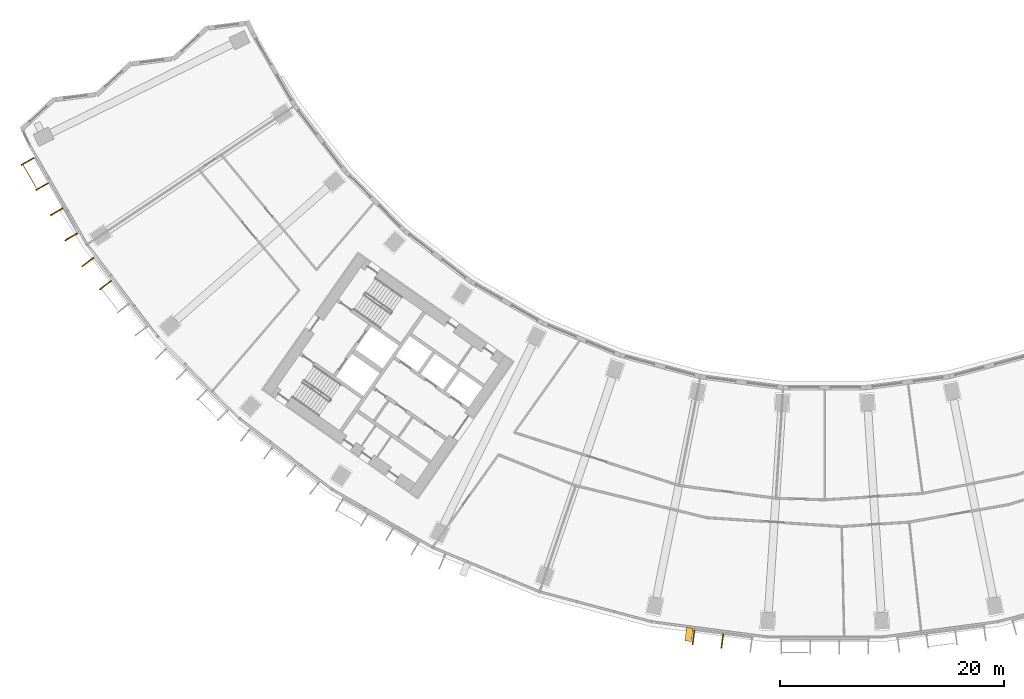
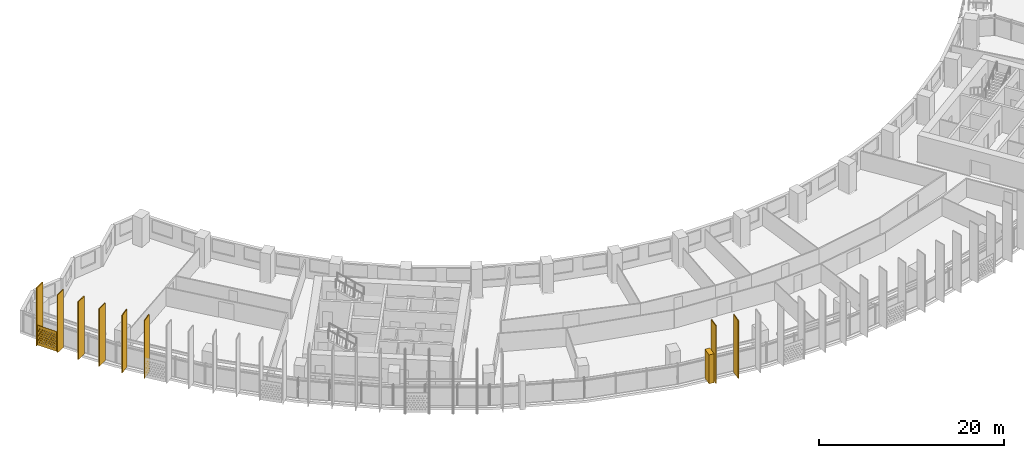
# One storey, part 26 of 33: 10 shading devices.
"""IFC4 building model written with IfcOpenShell, lengths in metres."""

from ifc_helpers import new_model, si_unit, direction, frame, origin, origin_2d, place, context, subcontext, project, spatial, polyline, rectangle, outline, extrude, material, material_profile, profile_set, type_object, element, save


model = new_model("IFC4")

# Units and contexts
model_context = context("Model", 3, precision=1e-05, world=origin(), true_north=direction((0.0, 1.0)))
body_context = subcontext(model_context, "Body", "Model", "MODEL_VIEW")
ifc_project = project(units=[si_unit("LENGTHUNIT", "METRE"), si_unit("AREAUNIT", "SQUARE_METRE"), si_unit("VOLUMEUNIT", "CUBIC_METRE"), si_unit("PLANEANGLEUNIT", "RADIAN"), si_unit("MASSUNIT", "GRAM", prefix="KILO")], contexts=[model_context])

# Site, building, storey
site_placement = place(None, origin())
site = spatial("IfcSite", under=ifc_project, at=site_placement, CompositionType="ELEMENT")
building_placement = place(site_placement, origin())
building = spatial("IfcBuilding", under=site, at=building_placement, Name="Qamariyya Broadcast Tower", CompositionType="ELEMENT")
storey_placement = place(building_placement, frame((0.0, 0.0, 94.89990234375)))
storey = spatial("IfcBuildingStorey", under=building, at=storey_placement, Name="L20", CompositionType="ELEMENT", Elevation=94.89990234375)

# Shading devices
ifc_material_1 = material(Name="Steel S355 powder coated deep red", Category="steel")
shading_device_type_1 = type_object("IfcShadingDeviceType", Name="Deep red frame, powder coated steel box section", PredefinedType="USERDEFINED", material=ifc_material_1)
shading_device_1_placement = place(storey_placement, origin())
element("IfcShadingDevice", 1, at=shading_device_1_placement, inside=storey, type_object=shading_device_type_1, Name="e-frm-B2-F1-postb-L20", ObjectType="FRAME", PredefinedType="USERDEFINED", context=body_context, shape_type="SweptSolid", body=[
    extrude(outline(polyline([(-12.340087890625, -78.1884765625), (-12.49658203125, -79.378173828125), (-11.90185546875, -79.45654296875), (-11.7451171875, -78.266845703125), (-12.340087890625, -78.1884765625)])), origin(), (0.0, 0.0, 1.0), 3.800048828125),
])
ifc_material_2 = material(Name="Perforated glazed terracotta", Category="masonry")
ifc_material_profile_1 = material_profile(ifc_material_2, outline(polyline([(-1.199951171875, -1.300048828125), (1.199951171875, -1.300048828125), (1.199951171875, 1.300048828125), (-1.199951171875, 1.300048828125), (-1.199951171875, -1.300048828125)]), holes=[polyline([(-0.81494140625, -0.86669921875), (-0.89990234375, -0.78173828125), (-0.985107421875, -0.86669921875), (-0.89990234375, -0.95166015625), (-0.81494140625, -0.86669921875)]), polyline([(-0.514892578125, -0.86669921875), (-0.60009765625, -0.78173828125), (-0.68505859375, -0.86669921875), (-0.60009765625, -0.95166015625), (-0.514892578125, -0.86669921875)]), polyline([(-0.215087890625, -0.86669921875), (-0.300048828125, -0.78173828125), (-0.385009765625, -0.86669921875), (-0.300048828125, -0.95166015625), (-0.215087890625, -0.86669921875)]), polyline([(0.0849609375, -0.86669921875), (0.0, -0.78173828125), (-0.0849609375, -0.86669921875), (0.0, -0.95166015625), (0.0849609375, -0.86669921875)]), polyline([(0.385009765625, -0.86669921875), (0.300048828125, -0.78173828125), (0.215087890625, -0.86669921875), (0.300048828125, -0.95166015625), (0.385009765625, -0.86669921875)]), polyline([(0.68505859375, -0.86669921875), (0.60009765625, -0.78173828125), (0.514892578125, -0.86669921875), (0.60009765625, -0.95166015625), (0.68505859375, -0.86669921875)]), polyline([(0.985107421875, -0.86669921875), (0.89990234375, -0.78173828125), (0.81494140625, -0.86669921875), (0.89990234375, -0.95166015625), (0.985107421875, -0.86669921875)]), polyline([(-0.965087890625, -0.577880859375), (-1.050048828125, -0.49267578125), (-1.135009765625, -0.577880859375), (-1.050048828125, -0.662841796875), (-0.965087890625, -0.577880859375)]), polyline([(-0.6650390625, -0.577880859375), (-0.75, -0.49267578125), (-0.8349609375, -0.577880859375), (-0.75, -0.662841796875), (-0.6650390625, -0.577880859375)]), polyline([(-0.364990234375, -0.577880859375), (-0.449951171875, -0.49267578125), (-0.534912109375, -0.577880859375), (-0.449951171875, -0.662841796875), (-0.364990234375, -0.577880859375)]), polyline([(-0.06494140625, -0.577880859375), (-0.14990234375, -0.49267578125), (-0.235107421875, -0.577880859375), (-0.14990234375, -0.662841796875), (-0.06494140625, -0.577880859375)]), polyline([(0.235107421875, -0.577880859375), (0.14990234375, -0.49267578125), (0.06494140625, -0.577880859375), (0.14990234375, -0.662841796875), (0.235107421875, -0.577880859375)]), polyline([(0.534912109375, -0.577880859375), (0.449951171875, -0.49267578125), (0.364990234375, -0.577880859375), (0.449951171875, -0.662841796875), (0.534912109375, -0.577880859375)]), polyline([(0.8349609375, -0.577880859375), (0.75, -0.49267578125), (0.6650390625, -0.577880859375), (0.75, -0.662841796875), (0.8349609375, -0.577880859375)]), polyline([(1.135009765625, -0.577880859375), (1.050048828125, -0.49267578125), (0.965087890625, -0.577880859375), (1.050048828125, -0.662841796875), (1.135009765625, -0.577880859375)]), polyline([(-0.81494140625, -0.288818359375), (-0.89990234375, -0.203857421875), (-0.985107421875, -0.288818359375), (-0.89990234375, -0.373779296875), (-0.81494140625, -0.288818359375)]), polyline([(-0.514892578125, -0.288818359375), (-0.60009765625, -0.203857421875), (-0.68505859375, -0.288818359375), (-0.60009765625, -0.373779296875), (-0.514892578125, -0.288818359375)]), polyline([(-0.215087890625, -0.288818359375), (-0.300048828125, -0.203857421875), (-0.385009765625, -0.288818359375), (-0.300048828125, -0.373779296875), (-0.215087890625, -0.288818359375)]), polyline([(0.0849609375, -0.288818359375), (0.0, -0.203857421875), (-0.0849609375, -0.288818359375), (0.0, -0.373779296875), (0.0849609375, -0.288818359375)]), polyline([(0.385009765625, -0.288818359375), (0.300048828125, -0.203857421875), (0.215087890625, -0.288818359375), (0.300048828125, -0.373779296875), (0.385009765625, -0.288818359375)]), polyline([(0.68505859375, -0.288818359375), (0.60009765625, -0.203857421875), (0.514892578125, -0.288818359375), (0.60009765625, -0.373779296875), (0.68505859375, -0.288818359375)]), polyline([(0.985107421875, -0.288818359375), (0.89990234375, -0.203857421875), (0.81494140625, -0.288818359375), (0.89990234375, -0.373779296875), (0.985107421875, -0.288818359375)]), polyline([(-0.965087890625, 0.0), (-1.050048828125, 0.0849609375), (-1.135009765625, 0.0), (-1.050048828125, -0.0849609375), (-0.965087890625, 0.0)]), polyline([(-0.6650390625, 0.0), (-0.75, 0.0849609375), (-0.8349609375, 0.0), (-0.75, -0.0849609375), (-0.6650390625, 0.0)]), polyline([(-0.364990234375, 0.0), (-0.449951171875, 0.0849609375), (-0.534912109375, 0.0), (-0.449951171875, -0.0849609375), (-0.364990234375, 0.0)]), polyline([(-0.06494140625, 0.0), (-0.14990234375, 0.0849609375), (-0.235107421875, 0.0), (-0.14990234375, -0.0849609375), (-0.06494140625, 0.0)]), polyline([(0.235107421875, 0.0), (0.14990234375, 0.0849609375), (0.06494140625, 0.0), (0.14990234375, -0.0849609375), (0.235107421875, 0.0)]), polyline([(0.534912109375, 0.0), (0.449951171875, 0.0849609375), (0.364990234375, 0.0), (0.449951171875, -0.0849609375), (0.534912109375, 0.0)]), polyline([(0.8349609375, 0.0), (0.75, 0.0849609375), (0.6650390625, 0.0), (0.75, -0.0849609375), (0.8349609375, 0.0)]), polyline([(1.135009765625, 0.0), (1.050048828125, 0.0849609375), (0.965087890625, 0.0), (1.050048828125, -0.0849609375), (1.135009765625, 0.0)]), polyline([(-0.81494140625, 0.288818359375), (-0.89990234375, 0.373779296875), (-0.985107421875, 0.288818359375), (-0.89990234375, 0.203857421875), (-0.81494140625, 0.288818359375)]), polyline([(-0.514892578125, 0.288818359375), (-0.60009765625, 0.373779296875), (-0.68505859375, 0.288818359375), (-0.60009765625, 0.203857421875), (-0.514892578125, 0.288818359375)]), polyline([(-0.215087890625, 0.288818359375), (-0.300048828125, 0.373779296875), (-0.385009765625, 0.288818359375), (-0.300048828125, 0.203857421875), (-0.215087890625, 0.288818359375)]), polyline([(0.0849609375, 0.288818359375), (0.0, 0.373779296875), (-0.0849609375, 0.288818359375), (0.0, 0.203857421875), (0.0849609375, 0.288818359375)]), polyline([(0.385009765625, 0.288818359375), (0.300048828125, 0.373779296875), (0.215087890625, 0.288818359375), (0.300048828125, 0.203857421875), (0.385009765625, 0.288818359375)]), polyline([(0.68505859375, 0.288818359375), (0.60009765625, 0.373779296875), (0.514892578125, 0.288818359375), (0.60009765625, 0.203857421875), (0.68505859375, 0.288818359375)]), polyline([(0.985107421875, 0.288818359375), (0.89990234375, 0.373779296875), (0.81494140625, 0.288818359375), (0.89990234375, 0.203857421875), (0.985107421875, 0.288818359375)]), polyline([(-0.965087890625, 0.577880859375), (-1.050048828125, 0.662841796875), (-1.135009765625, 0.577880859375), (-1.050048828125, 0.49267578125), (-0.965087890625, 0.577880859375)]), polyline([(-0.6650390625, 0.577880859375), (-0.75, 0.662841796875), (-0.8349609375, 0.577880859375), (-0.75, 0.49267578125), (-0.6650390625, 0.577880859375)]), polyline([(-0.364990234375, 0.577880859375), (-0.449951171875, 0.662841796875), (-0.534912109375, 0.577880859375), (-0.449951171875, 0.49267578125), (-0.364990234375, 0.577880859375)]), polyline([(-0.06494140625, 0.577880859375), (-0.14990234375, 0.662841796875), (-0.235107421875, 0.577880859375), (-0.14990234375, 0.49267578125), (-0.06494140625, 0.577880859375)]), polyline([(0.235107421875, 0.577880859375), (0.14990234375, 0.662841796875), (0.06494140625, 0.577880859375), (0.14990234375, 0.49267578125), (0.235107421875, 0.577880859375)]), polyline([(0.534912109375, 0.577880859375), (0.449951171875, 0.662841796875), (0.364990234375, 0.577880859375), (0.449951171875, 0.49267578125), (0.534912109375, 0.577880859375)]), polyline([(0.8349609375, 0.577880859375), (0.75, 0.662841796875), (0.6650390625, 0.577880859375), (0.75, 0.49267578125), (0.8349609375, 0.577880859375)]), polyline([(1.135009765625, 0.577880859375), (1.050048828125, 0.662841796875), (0.965087890625, 0.577880859375), (1.050048828125, 0.49267578125), (1.135009765625, 0.577880859375)]), polyline([(-0.81494140625, 0.86669921875), (-0.89990234375, 0.95166015625), (-0.985107421875, 0.86669921875), (-0.89990234375, 0.78173828125), (-0.81494140625, 0.86669921875)]), polyline([(-0.514892578125, 0.86669921875), (-0.60009765625, 0.95166015625), (-0.68505859375, 0.86669921875), (-0.60009765625, 0.78173828125), (-0.514892578125, 0.86669921875)]), polyline([(-0.215087890625, 0.86669921875), (-0.300048828125, 0.95166015625), (-0.385009765625, 0.86669921875), (-0.300048828125, 0.78173828125), (-0.215087890625, 0.86669921875)]), polyline([(0.0849609375, 0.86669921875), (0.0, 0.95166015625), (-0.0849609375, 0.86669921875), (0.0, 0.78173828125), (0.0849609375, 0.86669921875)]), polyline([(0.385009765625, 0.86669921875), (0.300048828125, 0.95166015625), (0.215087890625, 0.86669921875), (0.300048828125, 0.78173828125), (0.385009765625, 0.86669921875)]), polyline([(0.68505859375, 0.86669921875), (0.60009765625, 0.95166015625), (0.514892578125, 0.86669921875), (0.60009765625, 0.78173828125), (0.68505859375, 0.86669921875)]), polyline([(0.985107421875, 0.86669921875), (0.89990234375, 0.95166015625), (0.81494140625, 0.86669921875), (0.89990234375, 0.78173828125), (0.985107421875, 0.86669921875)])]))
ifc_profile_set_1 = profile_set([ifc_material_profile_1], Name="Perforated glazed terracotta")
shading_device_type_2 = type_object("IfcShadingDeviceType", Name="Perforated terracotta screen 2400 x 2600", PredefinedType="USERDEFINED", material=ifc_profile_set_1)
shading_device_2_placement = place(storey_placement, frame((-70.948486328125, -37.913818359375, 1.35009765625), z_axis=(-0.865982457891, -0.500074377092, 0.0), x_axis=(0.500074377092, -0.865982457891, 0.0)))
element("IfcShadingDevice", 2, at=shading_device_2_placement, inside=storey, type_object=shading_device_type_2, Name="e-scr-L20-01-0", ObjectType="SCREEN", PredefinedType="USERDEFINED", context=body_context, shape_type="SweptSolid", body=[
    extrude(outline(polyline([(-1.199951171875, -1.300048828125), (1.199951171875, -1.300048828125), (1.199951171875, 1.300048828125), (-1.199951171875, 1.300048828125), (-1.199951171875, -1.300048828125)]), holes=[polyline([(-0.81494140625, -0.86669921875), (-0.89990234375, -0.78173828125), (-0.985107421875, -0.86669921875), (-0.89990234375, -0.95166015625), (-0.81494140625, -0.86669921875)]), polyline([(-0.514892578125, -0.86669921875), (-0.60009765625, -0.78173828125), (-0.68505859375, -0.86669921875), (-0.60009765625, -0.95166015625), (-0.514892578125, -0.86669921875)]), polyline([(-0.215087890625, -0.86669921875), (-0.300048828125, -0.78173828125), (-0.385009765625, -0.86669921875), (-0.300048828125, -0.95166015625), (-0.215087890625, -0.86669921875)]), polyline([(0.0849609375, -0.86669921875), (0.0, -0.78173828125), (-0.0849609375, -0.86669921875), (0.0, -0.95166015625), (0.0849609375, -0.86669921875)]), polyline([(0.385009765625, -0.86669921875), (0.300048828125, -0.78173828125), (0.215087890625, -0.86669921875), (0.300048828125, -0.95166015625), (0.385009765625, -0.86669921875)]), polyline([(0.68505859375, -0.86669921875), (0.60009765625, -0.78173828125), (0.514892578125, -0.86669921875), (0.60009765625, -0.95166015625), (0.68505859375, -0.86669921875)]), polyline([(0.985107421875, -0.86669921875), (0.89990234375, -0.78173828125), (0.81494140625, -0.86669921875), (0.89990234375, -0.95166015625), (0.985107421875, -0.86669921875)]), polyline([(-0.965087890625, -0.577880859375), (-1.050048828125, -0.49267578125), (-1.135009765625, -0.577880859375), (-1.050048828125, -0.662841796875), (-0.965087890625, -0.577880859375)]), polyline([(-0.6650390625, -0.577880859375), (-0.75, -0.49267578125), (-0.8349609375, -0.577880859375), (-0.75, -0.662841796875), (-0.6650390625, -0.577880859375)]), polyline([(-0.364990234375, -0.577880859375), (-0.449951171875, -0.49267578125), (-0.534912109375, -0.577880859375), (-0.449951171875, -0.662841796875), (-0.364990234375, -0.577880859375)]), polyline([(-0.06494140625, -0.577880859375), (-0.14990234375, -0.49267578125), (-0.235107421875, -0.577880859375), (-0.14990234375, -0.662841796875), (-0.06494140625, -0.577880859375)]), polyline([(0.235107421875, -0.577880859375), (0.14990234375, -0.49267578125), (0.06494140625, -0.577880859375), (0.14990234375, -0.662841796875), (0.235107421875, -0.577880859375)]), polyline([(0.534912109375, -0.577880859375), (0.449951171875, -0.49267578125), (0.364990234375, -0.577880859375), (0.449951171875, -0.662841796875), (0.534912109375, -0.577880859375)]), polyline([(0.8349609375, -0.577880859375), (0.75, -0.49267578125), (0.6650390625, -0.577880859375), (0.75, -0.662841796875), (0.8349609375, -0.577880859375)]), polyline([(1.135009765625, -0.577880859375), (1.050048828125, -0.49267578125), (0.965087890625, -0.577880859375), (1.050048828125, -0.662841796875), (1.135009765625, -0.577880859375)]), polyline([(-0.81494140625, -0.288818359375), (-0.89990234375, -0.203857421875), (-0.985107421875, -0.288818359375), (-0.89990234375, -0.373779296875), (-0.81494140625, -0.288818359375)]), polyline([(-0.514892578125, -0.288818359375), (-0.60009765625, -0.203857421875), (-0.68505859375, -0.288818359375), (-0.60009765625, -0.373779296875), (-0.514892578125, -0.288818359375)]), polyline([(-0.215087890625, -0.288818359375), (-0.300048828125, -0.203857421875), (-0.385009765625, -0.288818359375), (-0.300048828125, -0.373779296875), (-0.215087890625, -0.288818359375)]), polyline([(0.0849609375, -0.288818359375), (0.0, -0.203857421875), (-0.0849609375, -0.288818359375), (0.0, -0.373779296875), (0.0849609375, -0.288818359375)]), polyline([(0.385009765625, -0.288818359375), (0.300048828125, -0.203857421875), (0.215087890625, -0.288818359375), (0.300048828125, -0.373779296875), (0.385009765625, -0.288818359375)]), polyline([(0.68505859375, -0.288818359375), (0.60009765625, -0.203857421875), (0.514892578125, -0.288818359375), (0.60009765625, -0.373779296875), (0.68505859375, -0.288818359375)]), polyline([(0.985107421875, -0.288818359375), (0.89990234375, -0.203857421875), (0.81494140625, -0.288818359375), (0.89990234375, -0.373779296875), (0.985107421875, -0.288818359375)]), polyline([(-0.965087890625, 0.0), (-1.050048828125, 0.0849609375), (-1.135009765625, 0.0), (-1.050048828125, -0.0849609375), (-0.965087890625, 0.0)]), polyline([(-0.6650390625, 0.0), (-0.75, 0.0849609375), (-0.8349609375, 0.0), (-0.75, -0.0849609375), (-0.6650390625, 0.0)]), polyline([(-0.364990234375, 0.0), (-0.449951171875, 0.0849609375), (-0.534912109375, 0.0), (-0.449951171875, -0.0849609375), (-0.364990234375, 0.0)]), polyline([(-0.06494140625, 0.0), (-0.14990234375, 0.0849609375), (-0.235107421875, 0.0), (-0.14990234375, -0.0849609375), (-0.06494140625, 0.0)]), polyline([(0.235107421875, 0.0), (0.14990234375, 0.0849609375), (0.06494140625, 0.0), (0.14990234375, -0.0849609375), (0.235107421875, 0.0)]), polyline([(0.534912109375, 0.0), (0.449951171875, 0.0849609375), (0.364990234375, 0.0), (0.449951171875, -0.0849609375), (0.534912109375, 0.0)]), polyline([(0.8349609375, 0.0), (0.75, 0.0849609375), (0.6650390625, 0.0), (0.75, -0.0849609375), (0.8349609375, 0.0)]), polyline([(1.135009765625, 0.0), (1.050048828125, 0.0849609375), (0.965087890625, 0.0), (1.050048828125, -0.0849609375), (1.135009765625, 0.0)]), polyline([(-0.81494140625, 0.288818359375), (-0.89990234375, 0.373779296875), (-0.985107421875, 0.288818359375), (-0.89990234375, 0.203857421875), (-0.81494140625, 0.288818359375)]), polyline([(-0.514892578125, 0.288818359375), (-0.60009765625, 0.373779296875), (-0.68505859375, 0.288818359375), (-0.60009765625, 0.203857421875), (-0.514892578125, 0.288818359375)]), polyline([(-0.215087890625, 0.288818359375), (-0.300048828125, 0.373779296875), (-0.385009765625, 0.288818359375), (-0.300048828125, 0.203857421875), (-0.215087890625, 0.288818359375)]), polyline([(0.0849609375, 0.288818359375), (0.0, 0.373779296875), (-0.0849609375, 0.288818359375), (0.0, 0.203857421875), (0.0849609375, 0.288818359375)]), polyline([(0.385009765625, 0.288818359375), (0.300048828125, 0.373779296875), (0.215087890625, 0.288818359375), (0.300048828125, 0.203857421875), (0.385009765625, 0.288818359375)]), polyline([(0.68505859375, 0.288818359375), (0.60009765625, 0.373779296875), (0.514892578125, 0.288818359375), (0.60009765625, 0.203857421875), (0.68505859375, 0.288818359375)]), polyline([(0.985107421875, 0.288818359375), (0.89990234375, 0.373779296875), (0.81494140625, 0.288818359375), (0.89990234375, 0.203857421875), (0.985107421875, 0.288818359375)]), polyline([(-0.965087890625, 0.577880859375), (-1.050048828125, 0.662841796875), (-1.135009765625, 0.577880859375), (-1.050048828125, 0.49267578125), (-0.965087890625, 0.577880859375)]), polyline([(-0.6650390625, 0.577880859375), (-0.75, 0.662841796875), (-0.8349609375, 0.577880859375), (-0.75, 0.49267578125), (-0.6650390625, 0.577880859375)]), polyline([(-0.364990234375, 0.577880859375), (-0.449951171875, 0.662841796875), (-0.534912109375, 0.577880859375), (-0.449951171875, 0.49267578125), (-0.364990234375, 0.577880859375)]), polyline([(-0.06494140625, 0.577880859375), (-0.14990234375, 0.662841796875), (-0.235107421875, 0.577880859375), (-0.14990234375, 0.49267578125), (-0.06494140625, 0.577880859375)]), polyline([(0.235107421875, 0.577880859375), (0.14990234375, 0.662841796875), (0.06494140625, 0.577880859375), (0.14990234375, 0.49267578125), (0.235107421875, 0.577880859375)]), polyline([(0.534912109375, 0.577880859375), (0.449951171875, 0.662841796875), (0.364990234375, 0.577880859375), (0.449951171875, 0.49267578125), (0.534912109375, 0.577880859375)]), polyline([(0.8349609375, 0.577880859375), (0.75, 0.662841796875), (0.6650390625, 0.577880859375), (0.75, 0.49267578125), (0.8349609375, 0.577880859375)]), polyline([(1.135009765625, 0.577880859375), (1.050048828125, 0.662841796875), (0.965087890625, 0.577880859375), (1.050048828125, 0.49267578125), (1.135009765625, 0.577880859375)]), polyline([(-0.81494140625, 0.86669921875), (-0.89990234375, 0.95166015625), (-0.985107421875, 0.86669921875), (-0.89990234375, 0.78173828125), (-0.81494140625, 0.86669921875)]), polyline([(-0.514892578125, 0.86669921875), (-0.60009765625, 0.95166015625), (-0.68505859375, 0.86669921875), (-0.60009765625, 0.78173828125), (-0.514892578125, 0.86669921875)]), polyline([(-0.215087890625, 0.86669921875), (-0.300048828125, 0.95166015625), (-0.385009765625, 0.86669921875), (-0.300048828125, 0.78173828125), (-0.215087890625, 0.86669921875)]), polyline([(0.0849609375, 0.86669921875), (0.0, 0.95166015625), (-0.0849609375, 0.86669921875), (0.0, 0.78173828125), (0.0849609375, 0.86669921875)]), polyline([(0.385009765625, 0.86669921875), (0.300048828125, 0.95166015625), (0.215087890625, 0.86669921875), (0.300048828125, 0.78173828125), (0.385009765625, 0.86669921875)]), polyline([(0.68505859375, 0.86669921875), (0.60009765625, 0.95166015625), (0.514892578125, 0.86669921875), (0.60009765625, 0.78173828125), (0.68505859375, 0.86669921875)]), polyline([(0.985107421875, 0.86669921875), (0.89990234375, 0.95166015625), (0.81494140625, 0.86669921875), (0.89990234375, 0.78173828125), (0.985107421875, 0.86669921875)])]), origin(), (0.0, 0.0, 1.0), 0.06005859375),
])
ifc_material_3 = material(Name="Glazed terracotta", Category="masonry")
ifc_material_profile_2 = material_profile(ifc_material_3, rectangle(XDim=1.300048828125, YDim=0.10009765625, at=origin_2d()))
ifc_profile_set_2 = profile_set([ifc_material_profile_2], Name="Glazed terracotta")
shading_device_type_3 = type_object("IfcShadingDeviceType", Name="Terracotta fin 100 x 1300", PredefinedType="USERDEFINED", material=ifc_profile_set_2)
for number, where, z_axis, x_axis, name in (
    (3, (-71.16650390625, -36.596435546875, 0.0), (0.0, 0.0, 1.0), (-0.866025403784, -0.5, 0.0), "e-fin-L20-01-0"),
    (4, (-69.869873046875, -38.84228515625, 0.0), (0.0, 0.0, 1.0), (-0.866025403784, -0.5, 0.0), "e-fin-L20-01-1"),
    (5, (-68.5732421875, -41.087890625, 0.0), (0.0, 0.0, 1.0), (-0.866025403784, -0.5, 0.0), "e-fin-L20-01-2"),
    (6, (-67.276611328125, -43.333740234375, 0.0), (0.0, 0.0, 1.0), (-0.866025403784, -0.5, 0.0), "e-fin-L20-01-3"),
    (7, (-65.781005859375, -45.572509765625, 0.0), (0.0, 0.0, 1.0), (-0.793353340291, -0.608761429009, 0.0), "e-fin-L20-02-0"),
    (8, (-64.2021484375, -47.629638671875, 0.0), (0.0, 0.0, 1.0), (-0.793353340291, -0.608761429009, 0.0), "e-fin-L20-02-1"),
    (9, (-11.718505859375, -79.0771484375, 0.0), (0.0, 0.0, 1.0), (-0.13052619222, -0.991444861374, 0.0), "e-fin-L20-08-1"),
    (10, (-9.1474609375, -79.41552734375, 0.0), (0.0, 0.0, 1.0), (-0.13052619222, -0.991444861374, 0.0), "e-fin-L20-08-2"),
):
    element("IfcShadingDevice", number, at=place(storey_placement, frame(where, z_axis=z_axis, x_axis=x_axis)), inside=storey, type_object=shading_device_type_3, Name=name, ObjectType="FIN", PredefinedType="USERDEFINED", context=body_context, shape_type="SweptSolid", body=[
        extrude(rectangle(XDim=1.300048828125, YDim=0.10009765625, at=origin_2d()), origin(), (0.0, 0.0, 1.0), 7.60009765625),
    ])

save(model, "model.ifc")
